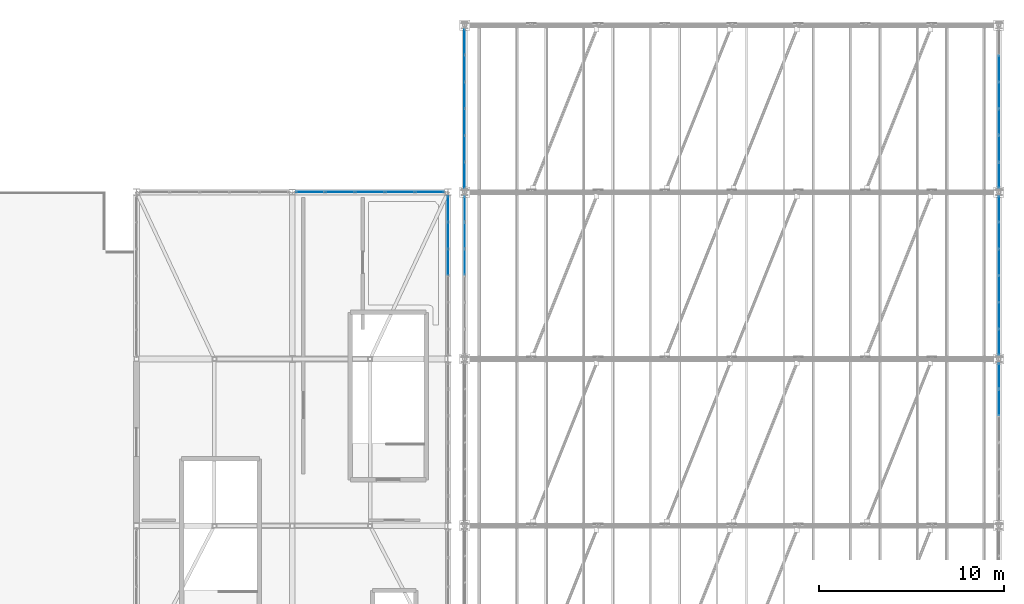
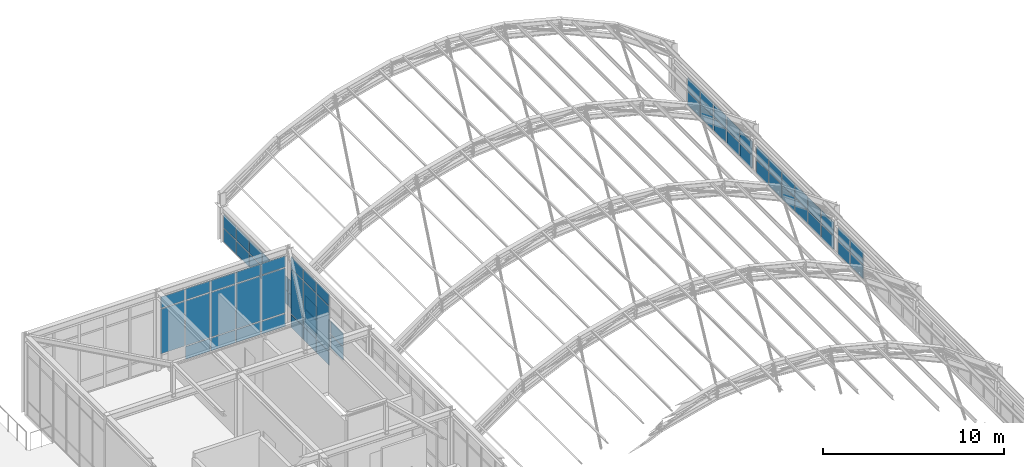
# One storey, part 102 of 121: 67 plates, 7 elements without a shape of their own.
"""IFC4 building model written with IfcOpenShell, lengths in metres."""

from ifc_helpers import new_model, si_unit, direction, frame, origin, origin_2d, place, context, subcontext, project, spatial, rectangle, extrude, material, layer, layer_set, type_object, element, aggregate, save


model = new_model("IFC4")

# Units and contexts
model_context = context("Model", 3, precision=1e-05, world=origin(), true_north=direction((0.0, 1.0)))
body_context = subcontext(model_context, "Body", "Model", "MODEL_VIEW")
ifc_project = project(units=[si_unit("LENGTHUNIT", "METRE"), si_unit("AREAUNIT", "SQUARE_METRE"), si_unit("VOLUMEUNIT", "CUBIC_METRE"), si_unit("PLANEANGLEUNIT", "RADIAN"), si_unit("MASSUNIT", "GRAM", prefix="KILO")], contexts=[model_context])

# Site, building, storey
site_placement = place(None, origin())
site = spatial("IfcSite", under=ifc_project, at=site_placement, CompositionType="ELEMENT")
building_placement = place(site_placement, origin())
building = spatial("IfcBuilding", under=site, at=building_placement, Name="Canglan Escarpment Cableway Terminal", CompositionType="ELEMENT")
storey_placement = place(building_placement, frame((0.0, 0.0, 24.60009765625)))
storey = spatial("IfcBuildingStorey", under=building, at=storey_placement, Name="L05", CompositionType="ELEMENT", Elevation=24.60009765625)

# Curtain wall, plates
ifc_material_1 = material(Name="Anodized bronze aluminium and Low-E double glazing", Category="aluminium")
curtain_wall_type_1 = type_object("IfcCurtainWallType", Name="CW-BAY-8650x1950", PredefinedType="NOTDEFINED", material=ifc_material_1)
curtain_wall_1_placement = place(storey_placement, origin())
curtain_wall_1 = element("IfcCurtainWall", 1, at=curtain_wall_1_placement, inside=storey, type_object=curtain_wall_type_1, Name="Classical bay-between-piers glazed curtain wall CW-66", PredefinedType="NOTDEFINED")
ifc_material_2 = material(Name="Double-silver Low-E laminated insulating glass", Category="glass")
ifc_layer_1 = layer(ifc_material_2, 0.02392578125, Name="Double-silver Low-E laminated insulating glass")
ifc_layer_set_1 = layer_set([ifc_layer_1], Name="Double-silver Low-E laminated insulating glass")
plate_type_1 = type_object("IfcPlateType", Name="CWP-01", PredefinedType="CURTAIN_PANEL", material=ifc_layer_set_1)
plate_1_placement = place(storey_placement, frame((166.39990234375, 103.66259765625, 0.06494140625), z_axis=(0.0, 0.0, 1.0), x_axis=(0.0, 1.0, 0.0)))
plate_1 = element("IfcPlate", 2, at=plate_1_placement, type_object=plate_type_1, Name="CW-66 panel 5.1", PredefinedType="CURTAIN_PANEL", context=body_context, shape_type="SweptSolid", body=[
    extrude(rectangle(XDim=1.376708984375, YDim=0.02392578125, at=origin_2d()), origin(), (0.0, 0.0, 1.0), 0.87744140625),
])
plate_2_placement = place(storey_placement, frame((166.39990234375, 103.66259765625, 1.00732421875), z_axis=(0.0, 0.0, 1.0), x_axis=(0.0, 1.0, 0.0)))
plate_2 = element("IfcPlate", 3, at=plate_2_placement, type_object=plate_type_1, Name="CW-66 panel 5.2", PredefinedType="CURTAIN_PANEL", context=body_context, shape_type="SweptSolid", body=[
    extrude(rectangle(XDim=1.376708984375, YDim=0.02392578125, at=origin_2d()), origin(), (0.0, 0.0, 1.0), 0.87744140625),
])
plate_3_placement = place(storey_placement, frame((166.39990234375, 105.087890625, 0.06494140625), z_axis=(0.0, 0.0, 1.0), x_axis=(0.0, 1.0, 0.0)))
plate_3 = element("IfcPlate", 4, at=plate_3_placement, type_object=plate_type_1, Name="CW-66 panel 6.1", PredefinedType="CURTAIN_PANEL", context=body_context, shape_type="SweptSolid", body=[
    extrude(rectangle(XDim=1.34423828125, YDim=0.02392578125, at=origin_2d()), origin(), (0.0, 0.0, 1.0), 0.87744140625),
])
plate_4_placement = place(storey_placement, frame((166.39990234375, 105.087890625, 1.00732421875), z_axis=(0.0, 0.0, 1.0), x_axis=(0.0, 1.0, 0.0)))
plate_4 = element("IfcPlate", 5, at=plate_4_placement, type_object=plate_type_1, Name="CW-66 panel 6.2", PredefinedType="CURTAIN_PANEL", context=body_context, shape_type="SweptSolid", body=[
    extrude(rectangle(XDim=1.34423828125, YDim=0.02392578125, at=origin_2d()), origin(), (0.0, 0.0, 1.0), 0.87744140625),
])
aggregate(curtain_wall_1, [plate_1, plate_2, plate_3, plate_4])

curtain_wall_2_placement = place(storey_placement, origin())
curtain_wall_2 = element("IfcCurtainWall", 6, at=curtain_wall_2_placement, inside=storey, type_object=curtain_wall_type_1, Name="Classical bay-between-piers glazed curtain wall CW-66", PredefinedType="NOTDEFINED")
plate_5_placement = place(storey_placement, frame((137.60009765625, 114.087890625, 0.06494140625), z_axis=(0.0, 0.0, 1.0), x_axis=(0.0, -1.0, 0.0)))
plate_5 = element("IfcPlate", 7, at=plate_5_placement, type_object=plate_type_1, Name="CW-66 panel 1.1", PredefinedType="CURTAIN_PANEL", context=body_context, shape_type="SweptSolid", body=[
    extrude(rectangle(XDim=1.34423828125, YDim=0.02392578125, at=origin_2d()), origin(), (0.0, 0.0, 1.0), 0.87744140625),
])
plate_6_placement = place(storey_placement, frame((137.60009765625, 114.087890625, 1.00732421875), z_axis=(0.0, 0.0, 1.0), x_axis=(0.0, -1.0, 0.0)))
plate_6 = element("IfcPlate", 8, at=plate_6_placement, type_object=plate_type_1, Name="CW-66 panel 1.2", PredefinedType="CURTAIN_PANEL", context=body_context, shape_type="SweptSolid", body=[
    extrude(rectangle(XDim=1.34423828125, YDim=0.02392578125, at=origin_2d()), origin(), (0.0, 0.0, 1.0), 0.87744140625),
])
plate_7_placement = place(storey_placement, frame((137.60009765625, 112.66259765625, 0.06494140625), z_axis=(0.0, 0.0, 1.0), x_axis=(0.0, -1.0, 0.0)))
plate_7 = element("IfcPlate", 9, at=plate_7_placement, type_object=plate_type_1, Name="CW-66 panel 2.1", PredefinedType="CURTAIN_PANEL", context=body_context, shape_type="SweptSolid", body=[
    extrude(rectangle(XDim=1.376708984375, YDim=0.02392578125, at=origin_2d()), origin(), (0.0, 0.0, 1.0), 0.87744140625),
])
plate_8_placement = place(storey_placement, frame((137.60009765625, 112.66259765625, 1.00732421875), z_axis=(0.0, 0.0, 1.0), x_axis=(0.0, -1.0, 0.0)))
plate_8 = element("IfcPlate", 10, at=plate_8_placement, type_object=plate_type_1, Name="CW-66 panel 2.2", PredefinedType="CURTAIN_PANEL", context=body_context, shape_type="SweptSolid", body=[
    extrude(rectangle(XDim=1.376708984375, YDim=0.02392578125, at=origin_2d()), origin(), (0.0, 0.0, 1.0), 0.87744140625),
])
plate_9_placement = place(storey_placement, frame((137.60009765625, 111.220947265625, 0.06494140625), z_axis=(0.0, 0.0, 1.0), x_axis=(0.0, -1.0, 0.0)))
plate_9 = element("IfcPlate", 11, at=plate_9_placement, type_object=plate_type_1, Name="CW-66 panel 3.1", PredefinedType="CURTAIN_PANEL", context=body_context, shape_type="SweptSolid", body=[
    extrude(rectangle(XDim=1.376708984375, YDim=0.02392578125, at=origin_2d()), origin(), (0.0, 0.0, 1.0), 0.87744140625),
])
plate_10_placement = place(storey_placement, frame((137.60009765625, 111.220947265625, 1.00732421875), z_axis=(0.0, 0.0, 1.0), x_axis=(0.0, -1.0, 0.0)))
plate_10 = element("IfcPlate", 12, at=plate_10_placement, type_object=plate_type_1, Name="CW-66 panel 3.2", PredefinedType="CURTAIN_PANEL", context=body_context, shape_type="SweptSolid", body=[
    extrude(rectangle(XDim=1.376708984375, YDim=0.02392578125, at=origin_2d()), origin(), (0.0, 0.0, 1.0), 0.87744140625),
])
aggregate(curtain_wall_2, [plate_5, plate_6, plate_7, plate_8, plate_9, plate_10])

curtain_wall_3_placement = place(storey_placement, origin())
curtain_wall_3 = element("IfcCurtainWall", 13, at=curtain_wall_3_placement, inside=storey, type_object=curtain_wall_type_1, Name="Classical bay-between-piers glazed curtain wall CW-66", PredefinedType="NOTDEFINED")
ifc_layer_2 = layer(ifc_material_2, 0.028076171875, Name="Double-silver Low-E laminated insulating glass")
ifc_layer_set_2 = layer_set([ifc_layer_2], Name="Double-silver Low-E laminated insulating glass")
plate_type_2 = type_object("IfcPlateType", Name="CWP-02", PredefinedType="CURTAIN_PANEL", material=ifc_layer_set_2)
plate_11_placement = place(storey_placement, frame((166.39990234375, 106.910888671875, 0.054931640625), z_axis=(0.0, 0.0, 1.0), x_axis=(0.0, 1.0, 0.0)))
plate_11 = element("IfcPlate", 14, at=plate_11_placement, type_object=plate_type_2, Name="CW-66 panel 1.1", PredefinedType="CURTAIN_PANEL", context=body_context, shape_type="SweptSolid", body=[
    extrude(rectangle(XDim=1.3515625, YDim=0.028076171875, at=origin_2d()), origin(), (0.0, 0.0, 1.0), 0.892578125),
])
plate_12_placement = place(storey_placement, frame((166.39990234375, 106.910888671875, 1.00244140625), z_axis=(0.0, 0.0, 1.0), x_axis=(0.0, 1.0, 0.0)))
plate_12 = element("IfcPlate", 15, at=plate_12_placement, type_object=plate_type_2, Name="CW-66 panel 1.2", PredefinedType="CURTAIN_PANEL", context=body_context, shape_type="SweptSolid", body=[
    extrude(rectangle(XDim=1.3515625, YDim=0.028076171875, at=origin_2d()), origin(), (0.0, 0.0, 1.0), 0.892578125),
])
plate_13_placement = place(storey_placement, frame((166.39990234375, 108.33740234375, 0.054931640625), z_axis=(0.0, 0.0, 1.0), x_axis=(0.0, 1.0, 0.0)))
plate_13 = element("IfcPlate", 16, at=plate_13_placement, type_object=plate_type_2, Name="CW-66 panel 2.1", PredefinedType="CURTAIN_PANEL", context=body_context, shape_type="SweptSolid", body=[
    extrude(rectangle(XDim=1.381591796875, YDim=0.028076171875, at=origin_2d()), origin(), (0.0, 0.0, 1.0), 0.892578125),
])
plate_14_placement = place(storey_placement, frame((166.39990234375, 108.33740234375, 1.00244140625), z_axis=(0.0, 0.0, 1.0), x_axis=(0.0, 1.0, 0.0)))
plate_14 = element("IfcPlate", 17, at=plate_14_placement, type_object=plate_type_2, Name="CW-66 panel 2.2", PredefinedType="CURTAIN_PANEL", context=body_context, shape_type="SweptSolid", body=[
    extrude(rectangle(XDim=1.381591796875, YDim=0.028076171875, at=origin_2d()), origin(), (0.0, 0.0, 1.0), 0.892578125),
])
plate_15_placement = place(storey_placement, frame((166.39990234375, 109.779052734375, 0.054931640625), z_axis=(0.0, 0.0, 1.0), x_axis=(0.0, 1.0, 0.0)))
plate_15 = element("IfcPlate", 18, at=plate_15_placement, type_object=plate_type_2, Name="CW-66 panel 3.1", PredefinedType="CURTAIN_PANEL", context=body_context, shape_type="SweptSolid", body=[
    extrude(rectangle(XDim=1.381591796875, YDim=0.028076171875, at=origin_2d()), origin(), (0.0, 0.0, 1.0), 0.892578125),
])
plate_16_placement = place(storey_placement, frame((166.39990234375, 109.779052734375, 1.00244140625), z_axis=(0.0, 0.0, 1.0), x_axis=(0.0, 1.0, 0.0)))
plate_16 = element("IfcPlate", 19, at=plate_16_placement, type_object=plate_type_2, Name="CW-66 panel 3.2", PredefinedType="CURTAIN_PANEL", context=body_context, shape_type="SweptSolid", body=[
    extrude(rectangle(XDim=1.381591796875, YDim=0.028076171875, at=origin_2d()), origin(), (0.0, 0.0, 1.0), 0.892578125),
])
plate_17_placement = place(storey_placement, frame((166.39990234375, 111.220947265625, 0.054931640625), z_axis=(0.0, 0.0, 1.0), x_axis=(0.0, 1.0, 0.0)))
plate_17 = element("IfcPlate", 20, at=plate_17_placement, type_object=plate_type_2, Name="CW-66 panel 4.1", PredefinedType="CURTAIN_PANEL", context=body_context, shape_type="SweptSolid", body=[
    extrude(rectangle(XDim=1.381591796875, YDim=0.028076171875, at=origin_2d()), origin(), (0.0, 0.0, 1.0), 0.892578125),
])
plate_18_placement = place(storey_placement, frame((166.39990234375, 111.220947265625, 1.00244140625), z_axis=(0.0, 0.0, 1.0), x_axis=(0.0, 1.0, 0.0)))
plate_18 = element("IfcPlate", 21, at=plate_18_placement, type_object=plate_type_2, Name="CW-66 panel 4.2", PredefinedType="CURTAIN_PANEL", context=body_context, shape_type="SweptSolid", body=[
    extrude(rectangle(XDim=1.381591796875, YDim=0.028076171875, at=origin_2d()), origin(), (0.0, 0.0, 1.0), 0.892578125),
])
plate_19_placement = place(storey_placement, frame((166.39990234375, 112.66259765625, 0.054931640625), z_axis=(0.0, 0.0, 1.0), x_axis=(0.0, 1.0, 0.0)))
plate_19 = element("IfcPlate", 22, at=plate_19_placement, type_object=plate_type_2, Name="CW-66 panel 5.1", PredefinedType="CURTAIN_PANEL", context=body_context, shape_type="SweptSolid", body=[
    extrude(rectangle(XDim=1.381591796875, YDim=0.028076171875, at=origin_2d()), origin(), (0.0, 0.0, 1.0), 0.892578125),
])
plate_20_placement = place(storey_placement, frame((166.39990234375, 112.66259765625, 1.00244140625), z_axis=(0.0, 0.0, 1.0), x_axis=(0.0, 1.0, 0.0)))
plate_20 = element("IfcPlate", 23, at=plate_20_placement, type_object=plate_type_2, Name="CW-66 panel 5.2", PredefinedType="CURTAIN_PANEL", context=body_context, shape_type="SweptSolid", body=[
    extrude(rectangle(XDim=1.381591796875, YDim=0.028076171875, at=origin_2d()), origin(), (0.0, 0.0, 1.0), 0.892578125),
])
plate_21_placement = place(storey_placement, frame((166.39990234375, 114.089111328125, 0.054931640625), z_axis=(0.0, 0.0, 1.0), x_axis=(0.0, 1.0, 0.0)))
plate_21 = element("IfcPlate", 24, at=plate_21_placement, type_object=plate_type_2, Name="CW-66 panel 6.1", PredefinedType="CURTAIN_PANEL", context=body_context, shape_type="SweptSolid", body=[
    extrude(rectangle(XDim=1.3515625, YDim=0.028076171875, at=origin_2d()), origin(), (0.0, 0.0, 1.0), 0.892578125),
])
plate_22_placement = place(storey_placement, frame((166.39990234375, 114.089111328125, 1.00244140625), z_axis=(0.0, 0.0, 1.0), x_axis=(0.0, 1.0, 0.0)))
plate_22 = element("IfcPlate", 25, at=plate_22_placement, type_object=plate_type_2, Name="CW-66 panel 6.2", PredefinedType="CURTAIN_PANEL", context=body_context, shape_type="SweptSolid", body=[
    extrude(rectangle(XDim=1.3515625, YDim=0.028076171875, at=origin_2d()), origin(), (0.0, 0.0, 1.0), 0.892578125),
])
aggregate(curtain_wall_3, [plate_11, plate_12, plate_13, plate_14, plate_15, plate_16, plate_17, plate_18, plate_19, plate_20, plate_21, plate_22])

curtain_wall_4_placement = place(storey_placement, origin())
curtain_wall_4 = element("IfcCurtainWall", 26, at=curtain_wall_4_placement, inside=storey, type_object=curtain_wall_type_1, Name="Classical bay-between-piers glazed curtain wall CW-66", PredefinedType="NOTDEFINED")
plate_23_placement = place(storey_placement, frame((137.60009765625, 123.089111328125, 0.054931640625), z_axis=(0.0, 0.0, 1.0), x_axis=(0.0, -1.0, 0.0)))
plate_23 = element("IfcPlate", 27, at=plate_23_placement, type_object=plate_type_2, Name="CW-66 panel 1.1", PredefinedType="CURTAIN_PANEL", context=body_context, shape_type="SweptSolid", body=[
    extrude(rectangle(XDim=1.3515625, YDim=0.028076171875, at=origin_2d()), origin(), (0.0, 0.0, 1.0), 0.892578125),
])
plate_24_placement = place(storey_placement, frame((137.60009765625, 123.089111328125, 1.00244140625), z_axis=(0.0, 0.0, 1.0), x_axis=(0.0, -1.0, 0.0)))
plate_24 = element("IfcPlate", 28, at=plate_24_placement, type_object=plate_type_2, Name="CW-66 panel 1.2", PredefinedType="CURTAIN_PANEL", context=body_context, shape_type="SweptSolid", body=[
    extrude(rectangle(XDim=1.3515625, YDim=0.028076171875, at=origin_2d()), origin(), (0.0, 0.0, 1.0), 0.892578125),
])
plate_25_placement = place(storey_placement, frame((137.60009765625, 121.66259765625, 0.054931640625), z_axis=(0.0, 0.0, 1.0), x_axis=(0.0, -1.0, 0.0)))
plate_25 = element("IfcPlate", 29, at=plate_25_placement, type_object=plate_type_2, Name="CW-66 panel 2.1", PredefinedType="CURTAIN_PANEL", context=body_context, shape_type="SweptSolid", body=[
    extrude(rectangle(XDim=1.381591796875, YDim=0.028076171875, at=origin_2d()), origin(), (0.0, 0.0, 1.0), 0.892578125),
])
plate_26_placement = place(storey_placement, frame((137.60009765625, 121.66259765625, 1.00244140625), z_axis=(0.0, 0.0, 1.0), x_axis=(0.0, -1.0, 0.0)))
plate_26 = element("IfcPlate", 30, at=plate_26_placement, type_object=plate_type_2, Name="CW-66 panel 2.2", PredefinedType="CURTAIN_PANEL", context=body_context, shape_type="SweptSolid", body=[
    extrude(rectangle(XDim=1.381591796875, YDim=0.028076171875, at=origin_2d()), origin(), (0.0, 0.0, 1.0), 0.892578125),
])
plate_27_placement = place(storey_placement, frame((137.60009765625, 120.220947265625, 0.054931640625), z_axis=(0.0, 0.0, 1.0), x_axis=(0.0, -1.0, 0.0)))
plate_27 = element("IfcPlate", 31, at=plate_27_placement, type_object=plate_type_2, Name="CW-66 panel 3.1", PredefinedType="CURTAIN_PANEL", context=body_context, shape_type="SweptSolid", body=[
    extrude(rectangle(XDim=1.381591796875, YDim=0.028076171875, at=origin_2d()), origin(), (0.0, 0.0, 1.0), 0.892578125),
])
plate_28_placement = place(storey_placement, frame((137.60009765625, 120.220947265625, 1.00244140625), z_axis=(0.0, 0.0, 1.0), x_axis=(0.0, -1.0, 0.0)))
plate_28 = element("IfcPlate", 32, at=plate_28_placement, type_object=plate_type_2, Name="CW-66 panel 3.2", PredefinedType="CURTAIN_PANEL", context=body_context, shape_type="SweptSolid", body=[
    extrude(rectangle(XDim=1.381591796875, YDim=0.028076171875, at=origin_2d()), origin(), (0.0, 0.0, 1.0), 0.892578125),
])
plate_29_placement = place(storey_placement, frame((137.60009765625, 118.779052734375, 0.054931640625), z_axis=(0.0, 0.0, 1.0), x_axis=(0.0, -1.0, 0.0)))
plate_29 = element("IfcPlate", 33, at=plate_29_placement, type_object=plate_type_2, Name="CW-66 panel 4.1", PredefinedType="CURTAIN_PANEL", context=body_context, shape_type="SweptSolid", body=[
    extrude(rectangle(XDim=1.381591796875, YDim=0.028076171875, at=origin_2d()), origin(), (0.0, 0.0, 1.0), 0.892578125),
])
plate_30_placement = place(storey_placement, frame((137.60009765625, 118.779052734375, 1.00244140625), z_axis=(0.0, 0.0, 1.0), x_axis=(0.0, -1.0, 0.0)))
plate_30 = element("IfcPlate", 34, at=plate_30_placement, type_object=plate_type_2, Name="CW-66 panel 4.2", PredefinedType="CURTAIN_PANEL", context=body_context, shape_type="SweptSolid", body=[
    extrude(rectangle(XDim=1.381591796875, YDim=0.028076171875, at=origin_2d()), origin(), (0.0, 0.0, 1.0), 0.892578125),
])
plate_31_placement = place(storey_placement, frame((137.60009765625, 117.33740234375, 0.054931640625), z_axis=(0.0, 0.0, 1.0), x_axis=(0.0, -1.0, 0.0)))
plate_31 = element("IfcPlate", 35, at=plate_31_placement, type_object=plate_type_2, Name="CW-66 panel 5.1", PredefinedType="CURTAIN_PANEL", context=body_context, shape_type="SweptSolid", body=[
    extrude(rectangle(XDim=1.381591796875, YDim=0.028076171875, at=origin_2d()), origin(), (0.0, 0.0, 1.0), 0.892578125),
])
plate_32_placement = place(storey_placement, frame((137.60009765625, 117.33740234375, 1.00244140625), z_axis=(0.0, 0.0, 1.0), x_axis=(0.0, -1.0, 0.0)))
plate_32 = element("IfcPlate", 36, at=plate_32_placement, type_object=plate_type_2, Name="CW-66 panel 5.2", PredefinedType="CURTAIN_PANEL", context=body_context, shape_type="SweptSolid", body=[
    extrude(rectangle(XDim=1.381591796875, YDim=0.028076171875, at=origin_2d()), origin(), (0.0, 0.0, 1.0), 0.892578125),
])
plate_33_placement = place(storey_placement, frame((137.60009765625, 115.910888671875, 0.054931640625), z_axis=(0.0, 0.0, 1.0), x_axis=(0.0, -1.0, 0.0)))
plate_33 = element("IfcPlate", 37, at=plate_33_placement, type_object=plate_type_2, Name="CW-66 panel 6.1", PredefinedType="CURTAIN_PANEL", context=body_context, shape_type="SweptSolid", body=[
    extrude(rectangle(XDim=1.3515625, YDim=0.028076171875, at=origin_2d()), origin(), (0.0, 0.0, 1.0), 0.892578125),
])
plate_34_placement = place(storey_placement, frame((137.60009765625, 115.910888671875, 1.00244140625), z_axis=(0.0, 0.0, 1.0), x_axis=(0.0, -1.0, 0.0)))
plate_34 = element("IfcPlate", 38, at=plate_34_placement, type_object=plate_type_2, Name="CW-66 panel 6.2", PredefinedType="CURTAIN_PANEL", context=body_context, shape_type="SweptSolid", body=[
    extrude(rectangle(XDim=1.3515625, YDim=0.028076171875, at=origin_2d()), origin(), (0.0, 0.0, 1.0), 0.892578125),
])
aggregate(curtain_wall_4, [plate_23, plate_24, plate_25, plate_26, plate_27, plate_28, plate_29, plate_30, plate_31, plate_32, plate_33, plate_34])

curtain_wall_type_2 = type_object("IfcCurtainWallType", Name="CW-BAY-8075x4875", PredefinedType="NOTDEFINED", material=ifc_material_1)
curtain_wall_5_placement = place(storey_placement, origin())
curtain_wall_5 = element("IfcCurtainWall", 39, at=curtain_wall_5_placement, inside=storey, type_object=curtain_wall_type_2, Name="Classical bay-between-piers glazed curtain wall CW-59", PredefinedType="NOTDEFINED")
ifc_layer_3 = layer(ifc_material_2, 0.031982421875, Name="Double-silver Low-E laminated insulating glass")
ifc_layer_set_3 = layer_set([ifc_layer_3], Name="Double-silver Low-E laminated insulating glass")
plate_type_3 = type_object("IfcPlateType", Name="CWP-03", PredefinedType="CURTAIN_PANEL", material=ifc_layer_set_3)
plate_35_placement = place(storey_placement, frame((135.701171875, 115.0, 0.06494140625), z_axis=(0.0, 0.0, 1.0), x_axis=(-1.0, 0.0, 0.0)))
plate_35 = element("IfcPlate", 40, at=plate_35_placement, type_object=plate_type_3, Name="CW-59 panel 1.1", PredefinedType="CURTAIN_PANEL", context=body_context, shape_type="SweptSolid", body=[
    extrude(rectangle(XDim=1.517578125, YDim=0.031982421875, at=origin_2d()), origin(), (0.0, 0.0, 1.0), 0.8525390625),
])
plate_36_placement = place(storey_placement, frame((135.701171875, 115.0, 0.982421875), z_axis=(0.0, 0.0, 1.0), x_axis=(-1.0, 0.0, 0.0)))
plate_36 = element("IfcPlate", 41, at=plate_36_placement, type_object=plate_type_3, Name="CW-59 panel 1.2", PredefinedType="CURTAIN_PANEL", context=body_context, shape_type="SweptSolid", body=[
    extrude(rectangle(XDim=1.517578125, YDim=0.031982421875, at=origin_2d()), origin(), (0.0, 0.0, 1.0), 3.01611328125),
])
plate_37_placement = place(storey_placement, frame((135.701171875, 115.0, 4.0634765625), z_axis=(0.0, 0.0, 1.0), x_axis=(-1.0, 0.0, 0.0)))
plate_37 = element("IfcPlate", 42, at=plate_37_placement, type_object=plate_type_3, Name="CW-59 panel 1.3", PredefinedType="CURTAIN_PANEL", context=body_context, shape_type="SweptSolid", body=[
    extrude(rectangle(XDim=1.517578125, YDim=0.031982421875, at=origin_2d()), origin(), (0.0, 0.0, 1.0), 0.75244140625),
])
plate_38_placement = place(storey_placement, frame((134.1025390625, 115.0, 0.06494140625), z_axis=(0.0, 0.0, 1.0), x_axis=(-1.0, 0.0, 0.0)))
plate_38 = element("IfcPlate", 43, at=plate_38_placement, type_object=plate_type_3, Name="CW-59 panel 2.1", PredefinedType="CURTAIN_PANEL", context=body_context, shape_type="SweptSolid", body=[
    extrude(rectangle(XDim=1.550048828125, YDim=0.031982421875, at=origin_2d()), origin(), (0.0, 0.0, 1.0), 0.8525390625),
])
plate_39_placement = place(storey_placement, frame((134.1025390625, 115.0, 0.982421875), z_axis=(0.0, 0.0, 1.0), x_axis=(-1.0, 0.0, 0.0)))
plate_39 = element("IfcPlate", 44, at=plate_39_placement, type_object=plate_type_3, Name="CW-59 panel 2.2", PredefinedType="CURTAIN_PANEL", context=body_context, shape_type="SweptSolid", body=[
    extrude(rectangle(XDim=1.550048828125, YDim=0.031982421875, at=origin_2d()), origin(), (0.0, 0.0, 1.0), 3.01611328125),
])
plate_40_placement = place(storey_placement, frame((134.1025390625, 115.0, 4.0634765625), z_axis=(0.0, 0.0, 1.0), x_axis=(-1.0, 0.0, 0.0)))
plate_40 = element("IfcPlate", 45, at=plate_40_placement, type_object=plate_type_3, Name="CW-59 panel 2.3", PredefinedType="CURTAIN_PANEL", context=body_context, shape_type="SweptSolid", body=[
    extrude(rectangle(XDim=1.550048828125, YDim=0.031982421875, at=origin_2d()), origin(), (0.0, 0.0, 1.0), 0.75244140625),
])
plate_41_placement = place(storey_placement, frame((132.487548828125, 115.0, 0.06494140625), z_axis=(0.0, 0.0, 1.0), x_axis=(-1.0, 0.0, 0.0)))
plate_41 = element("IfcPlate", 46, at=plate_41_placement, type_object=plate_type_3, Name="CW-59 panel 3.1", PredefinedType="CURTAIN_PANEL", context=body_context, shape_type="SweptSolid", body=[
    extrude(rectangle(XDim=1.550048828125, YDim=0.031982421875, at=origin_2d()), origin(), (0.0, 0.0, 1.0), 0.8525390625),
])
plate_42_placement = place(storey_placement, frame((132.487548828125, 115.0, 0.982421875), z_axis=(0.0, 0.0, 1.0), x_axis=(-1.0, 0.0, 0.0)))
plate_42 = element("IfcPlate", 47, at=plate_42_placement, type_object=plate_type_3, Name="CW-59 panel 3.2", PredefinedType="CURTAIN_PANEL", context=body_context, shape_type="SweptSolid", body=[
    extrude(rectangle(XDim=1.550048828125, YDim=0.031982421875, at=origin_2d()), origin(), (0.0, 0.0, 1.0), 3.01611328125),
])
plate_43_placement = place(storey_placement, frame((132.487548828125, 115.0, 4.0634765625), z_axis=(0.0, 0.0, 1.0), x_axis=(-1.0, 0.0, 0.0)))
plate_43 = element("IfcPlate", 48, at=plate_43_placement, type_object=plate_type_3, Name="CW-59 panel 3.3", PredefinedType="CURTAIN_PANEL", context=body_context, shape_type="SweptSolid", body=[
    extrude(rectangle(XDim=1.550048828125, YDim=0.031982421875, at=origin_2d()), origin(), (0.0, 0.0, 1.0), 0.75244140625),
])
plate_44_placement = place(storey_placement, frame((130.87255859375, 115.0, 0.06494140625), z_axis=(0.0, 0.0, 1.0), x_axis=(-1.0, 0.0, 0.0)))
plate_44 = element("IfcPlate", 49, at=plate_44_placement, type_object=plate_type_3, Name="CW-59 panel 4.1", PredefinedType="CURTAIN_PANEL", context=body_context, shape_type="SweptSolid", body=[
    extrude(rectangle(XDim=1.550048828125, YDim=0.031982421875, at=origin_2d()), origin(), (0.0, 0.0, 1.0), 0.8525390625),
])
plate_45_placement = place(storey_placement, frame((130.87255859375, 115.0, 0.982421875), z_axis=(0.0, 0.0, 1.0), x_axis=(-1.0, 0.0, 0.0)))
plate_45 = element("IfcPlate", 50, at=plate_45_placement, type_object=plate_type_3, Name="CW-59 panel 4.2", PredefinedType="CURTAIN_PANEL", context=body_context, shape_type="SweptSolid", body=[
    extrude(rectangle(XDim=1.550048828125, YDim=0.031982421875, at=origin_2d()), origin(), (0.0, 0.0, 1.0), 3.01611328125),
])
plate_46_placement = place(storey_placement, frame((130.87255859375, 115.0, 4.0634765625), z_axis=(0.0, 0.0, 1.0), x_axis=(-1.0, 0.0, 0.0)))
plate_46 = element("IfcPlate", 51, at=plate_46_placement, type_object=plate_type_3, Name="CW-59 panel 4.3", PredefinedType="CURTAIN_PANEL", context=body_context, shape_type="SweptSolid", body=[
    extrude(rectangle(XDim=1.550048828125, YDim=0.031982421875, at=origin_2d()), origin(), (0.0, 0.0, 1.0), 0.75244140625),
])
plate_47_placement = place(storey_placement, frame((129.273681640625, 115.0, 0.982421875), z_axis=(0.0, 0.0, 1.0), x_axis=(-1.0, 0.0, 0.0)))
plate_47 = element("IfcPlate", 52, at=plate_47_placement, type_object=plate_type_3, Name="CW-59 panel 5.2", PredefinedType="CURTAIN_PANEL", context=body_context, shape_type="SweptSolid", body=[
    extrude(rectangle(XDim=1.517578125, YDim=0.031982421875, at=origin_2d()), origin(), (0.0, 0.0, 1.0), 3.01611328125),
])
plate_48_placement = place(storey_placement, frame((129.273681640625, 115.0, 4.0634765625), z_axis=(0.0, 0.0, 1.0), x_axis=(-1.0, 0.0, 0.0)))
plate_48 = element("IfcPlate", 53, at=plate_48_placement, type_object=plate_type_3, Name="CW-59 panel 5.3", PredefinedType="CURTAIN_PANEL", context=body_context, shape_type="SweptSolid", body=[
    extrude(rectangle(XDim=1.517578125, YDim=0.031982421875, at=origin_2d()), origin(), (0.0, 0.0, 1.0), 0.75244140625),
])
aggregate(curtain_wall_5, [plate_35, plate_36, plate_37, plate_38, plate_39, plate_40, plate_41, plate_42, plate_43, plate_44, plate_45, plate_46, plate_47, plate_48])

curtain_wall_6_placement = place(storey_placement, origin())
curtain_wall_6 = element("IfcCurtainWall", 54, at=curtain_wall_6_placement, inside=storey, type_object=curtain_wall_type_1, Name="Classical bay-between-piers glazed curtain wall CW-66", PredefinedType="NOTDEFINED")
plate_49_placement = place(storey_placement, frame((166.39990234375, 115.912109375, 0.06005859375), z_axis=(0.0, 0.0, 1.0), x_axis=(0.0, 1.0, 0.0)))
plate_49 = element("IfcPlate", 55, at=plate_49_placement, type_object=plate_type_3, Name="CW-66 panel 1.1", PredefinedType="CURTAIN_PANEL", context=body_context, shape_type="SweptSolid", body=[
    extrude(rectangle(XDim=1.34423828125, YDim=0.031982421875, at=origin_2d()), origin(), (0.0, 0.0, 1.0), 0.885009765625),
])
plate_50_placement = place(storey_placement, frame((166.39990234375, 115.912109375, 1.0048828125), z_axis=(0.0, 0.0, 1.0), x_axis=(0.0, 1.0, 0.0)))
plate_50 = element("IfcPlate", 56, at=plate_50_placement, type_object=plate_type_3, Name="CW-66 panel 1.2", PredefinedType="CURTAIN_PANEL", context=body_context, shape_type="SweptSolid", body=[
    extrude(rectangle(XDim=1.34423828125, YDim=0.031982421875, at=origin_2d()), origin(), (0.0, 0.0, 1.0), 0.885009765625),
])
plate_51_placement = place(storey_placement, frame((166.39990234375, 117.33740234375, 0.06005859375), z_axis=(0.0, 0.0, 1.0), x_axis=(0.0, 1.0, 0.0)))
plate_51 = element("IfcPlate", 57, at=plate_51_placement, type_object=plate_type_3, Name="CW-66 panel 2.1", PredefinedType="CURTAIN_PANEL", context=body_context, shape_type="SweptSolid", body=[
    extrude(rectangle(XDim=1.376708984375, YDim=0.031982421875, at=origin_2d()), origin(), (0.0, 0.0, 1.0), 0.885009765625),
])
plate_52_placement = place(storey_placement, frame((166.39990234375, 117.33740234375, 1.0048828125), z_axis=(0.0, 0.0, 1.0), x_axis=(0.0, 1.0, 0.0)))
plate_52 = element("IfcPlate", 58, at=plate_52_placement, type_object=plate_type_3, Name="CW-66 panel 2.2", PredefinedType="CURTAIN_PANEL", context=body_context, shape_type="SweptSolid", body=[
    extrude(rectangle(XDim=1.376708984375, YDim=0.031982421875, at=origin_2d()), origin(), (0.0, 0.0, 1.0), 0.885009765625),
])
plate_53_placement = place(storey_placement, frame((166.39990234375, 118.779052734375, 0.06005859375), z_axis=(0.0, 0.0, 1.0), x_axis=(0.0, 1.0, 0.0)))
plate_53 = element("IfcPlate", 59, at=plate_53_placement, type_object=plate_type_3, Name="CW-66 panel 3.1", PredefinedType="CURTAIN_PANEL", context=body_context, shape_type="SweptSolid", body=[
    extrude(rectangle(XDim=1.376708984375, YDim=0.031982421875, at=origin_2d()), origin(), (0.0, 0.0, 1.0), 0.885009765625),
])
plate_54_placement = place(storey_placement, frame((166.39990234375, 118.779052734375, 1.0048828125), z_axis=(0.0, 0.0, 1.0), x_axis=(0.0, 1.0, 0.0)))
plate_54 = element("IfcPlate", 60, at=plate_54_placement, type_object=plate_type_3, Name="CW-66 panel 3.2", PredefinedType="CURTAIN_PANEL", context=body_context, shape_type="SweptSolid", body=[
    extrude(rectangle(XDim=1.376708984375, YDim=0.031982421875, at=origin_2d()), origin(), (0.0, 0.0, 1.0), 0.885009765625),
])
plate_55_placement = place(storey_placement, frame((166.39990234375, 120.220947265625, 0.06005859375), z_axis=(0.0, 0.0, 1.0), x_axis=(0.0, 1.0, 0.0)))
plate_55 = element("IfcPlate", 61, at=plate_55_placement, type_object=plate_type_3, Name="CW-66 panel 4.1", PredefinedType="CURTAIN_PANEL", context=body_context, shape_type="SweptSolid", body=[
    extrude(rectangle(XDim=1.376708984375, YDim=0.031982421875, at=origin_2d()), origin(), (0.0, 0.0, 1.0), 0.885009765625),
])
plate_56_placement = place(storey_placement, frame((166.39990234375, 120.220947265625, 1.0048828125), z_axis=(0.0, 0.0, 1.0), x_axis=(0.0, 1.0, 0.0)))
plate_56 = element("IfcPlate", 62, at=plate_56_placement, type_object=plate_type_3, Name="CW-66 panel 4.2", PredefinedType="CURTAIN_PANEL", context=body_context, shape_type="SweptSolid", body=[
    extrude(rectangle(XDim=1.376708984375, YDim=0.031982421875, at=origin_2d()), origin(), (0.0, 0.0, 1.0), 0.885009765625),
])
plate_57_placement = place(storey_placement, frame((166.39990234375, 121.66259765625, 0.06005859375), z_axis=(0.0, 0.0, 1.0), x_axis=(0.0, 1.0, 0.0)))
plate_57 = element("IfcPlate", 63, at=plate_57_placement, type_object=plate_type_3, Name="CW-66 panel 5.1", PredefinedType="CURTAIN_PANEL", context=body_context, shape_type="SweptSolid", body=[
    extrude(rectangle(XDim=1.376708984375, YDim=0.031982421875, at=origin_2d()), origin(), (0.0, 0.0, 1.0), 0.885009765625),
])
plate_58_placement = place(storey_placement, frame((166.39990234375, 121.66259765625, 1.0048828125), z_axis=(0.0, 0.0, 1.0), x_axis=(0.0, 1.0, 0.0)))
plate_58 = element("IfcPlate", 64, at=plate_58_placement, type_object=plate_type_3, Name="CW-66 panel 5.2", PredefinedType="CURTAIN_PANEL", context=body_context, shape_type="SweptSolid", body=[
    extrude(rectangle(XDim=1.376708984375, YDim=0.031982421875, at=origin_2d()), origin(), (0.0, 0.0, 1.0), 0.885009765625),
])
aggregate(curtain_wall_6, [plate_49, plate_50, plate_51, plate_52, plate_53, plate_54, plate_55, plate_56, plate_57, plate_58])

curtain_wall_type_3 = type_object("IfcCurtainWallType", Name="CW-BAY-8650x4875", PredefinedType="NOTDEFINED", material=ifc_material_1)
curtain_wall_7_placement = place(storey_placement, origin())
curtain_wall_7 = element("IfcCurtainWall", 65, at=curtain_wall_7_placement, inside=storey, type_object=curtain_wall_type_3, Name="Classical bay-between-piers glazed curtain wall CW-58", PredefinedType="NOTDEFINED")
ifc_layer_4 = layer(ifc_material_2, 0.035888671875, Name="Double-silver Low-E laminated insulating glass")
ifc_layer_set_4 = layer_set([ifc_layer_4], Name="Double-silver Low-E laminated insulating glass")
plate_type_4 = type_object("IfcPlateType", Name="CWP-04", PredefinedType="CURTAIN_PANEL", material=ifc_layer_set_4)
plate_59_placement = place(storey_placement, frame((136.699951171875, 111.220947265625, 0.05517578125), z_axis=(0.0, 0.0, 1.0), x_axis=(0.0, 1.0, 0.0)))
plate_59 = element("IfcPlate", 66, at=plate_59_placement, type_object=plate_type_4, Name="CW-58 panel 4.1", PredefinedType="CURTAIN_PANEL", context=body_context, shape_type="SweptSolid", body=[
    extrude(rectangle(XDim=1.381591796875, YDim=0.035888671875, at=origin_2d()), origin(), (0.0, 0.0, 1.0), 0.867431640625),
])
plate_60_placement = place(storey_placement, frame((136.699951171875, 111.220947265625, 0.9775390625), z_axis=(0.0, 0.0, 1.0), x_axis=(0.0, 1.0, 0.0)))
plate_60 = element("IfcPlate", 67, at=plate_60_placement, type_object=plate_type_4, Name="CW-58 panel 4.2", PredefinedType="CURTAIN_PANEL", context=body_context, shape_type="SweptSolid", body=[
    extrude(rectangle(XDim=1.381591796875, YDim=0.035888671875, at=origin_2d()), origin(), (0.0, 0.0, 1.0), 3.02587890625),
])
plate_61_placement = place(storey_placement, frame((136.699951171875, 111.220947265625, 4.058349609375), z_axis=(0.0, 0.0, 1.0), x_axis=(0.0, 1.0, 0.0)))
plate_61 = element("IfcPlate", 68, at=plate_61_placement, type_object=plate_type_4, Name="CW-58 panel 4.3", PredefinedType="CURTAIN_PANEL", context=body_context, shape_type="SweptSolid", body=[
    extrude(rectangle(XDim=1.381591796875, YDim=0.035888671875, at=origin_2d()), origin(), (0.0, 0.0, 1.0), 0.767578125),
])
plate_62_placement = place(storey_placement, frame((136.699951171875, 112.66259765625, 0.05517578125), z_axis=(0.0, 0.0, 1.0), x_axis=(0.0, 1.0, 0.0)))
plate_62 = element("IfcPlate", 69, at=plate_62_placement, type_object=plate_type_4, Name="CW-58 panel 5.1", PredefinedType="CURTAIN_PANEL", context=body_context, shape_type="SweptSolid", body=[
    extrude(rectangle(XDim=1.381591796875, YDim=0.035888671875, at=origin_2d()), origin(), (0.0, 0.0, 1.0), 0.867431640625),
])
plate_63_placement = place(storey_placement, frame((136.699951171875, 112.66259765625, 0.9775390625), z_axis=(0.0, 0.0, 1.0), x_axis=(0.0, 1.0, 0.0)))
plate_63 = element("IfcPlate", 70, at=plate_63_placement, type_object=plate_type_4, Name="CW-58 panel 5.2", PredefinedType="CURTAIN_PANEL", context=body_context, shape_type="SweptSolid", body=[
    extrude(rectangle(XDim=1.381591796875, YDim=0.035888671875, at=origin_2d()), origin(), (0.0, 0.0, 1.0), 3.02587890625),
])
plate_64_placement = place(storey_placement, frame((136.699951171875, 112.66259765625, 4.058349609375), z_axis=(0.0, 0.0, 1.0), x_axis=(0.0, 1.0, 0.0)))
plate_64 = element("IfcPlate", 71, at=plate_64_placement, type_object=plate_type_4, Name="CW-58 panel 5.3", PredefinedType="CURTAIN_PANEL", context=body_context, shape_type="SweptSolid", body=[
    extrude(rectangle(XDim=1.381591796875, YDim=0.035888671875, at=origin_2d()), origin(), (0.0, 0.0, 1.0), 0.767578125),
])
plate_65_placement = place(storey_placement, frame((136.699951171875, 114.089111328125, 0.05517578125), z_axis=(0.0, 0.0, 1.0), x_axis=(0.0, 1.0, 0.0)))
plate_65 = element("IfcPlate", 72, at=plate_65_placement, type_object=plate_type_4, Name="CW-58 panel 6.1", PredefinedType="CURTAIN_PANEL", context=body_context, shape_type="SweptSolid", body=[
    extrude(rectangle(XDim=1.3515625, YDim=0.035888671875, at=origin_2d()), origin(), (0.0, 0.0, 1.0), 0.867431640625),
])
plate_66_placement = place(storey_placement, frame((136.699951171875, 114.089111328125, 0.9775390625), z_axis=(0.0, 0.0, 1.0), x_axis=(0.0, 1.0, 0.0)))
plate_66 = element("IfcPlate", 73, at=plate_66_placement, type_object=plate_type_4, Name="CW-58 panel 6.2", PredefinedType="CURTAIN_PANEL", context=body_context, shape_type="SweptSolid", body=[
    extrude(rectangle(XDim=1.3515625, YDim=0.035888671875, at=origin_2d()), origin(), (0.0, 0.0, 1.0), 3.02587890625),
])
plate_67_placement = place(storey_placement, frame((136.699951171875, 114.089111328125, 4.058349609375), z_axis=(0.0, 0.0, 1.0), x_axis=(0.0, 1.0, 0.0)))
plate_67 = element("IfcPlate", 74, at=plate_67_placement, type_object=plate_type_4, Name="CW-58 panel 6.3", PredefinedType="CURTAIN_PANEL", context=body_context, shape_type="SweptSolid", body=[
    extrude(rectangle(XDim=1.3515625, YDim=0.035888671875, at=origin_2d()), origin(), (0.0, 0.0, 1.0), 0.767578125),
])
aggregate(curtain_wall_7, [plate_59, plate_60, plate_61, plate_62, plate_63, plate_64, plate_65, plate_66, plate_67])

save(model, "model.ifc")
